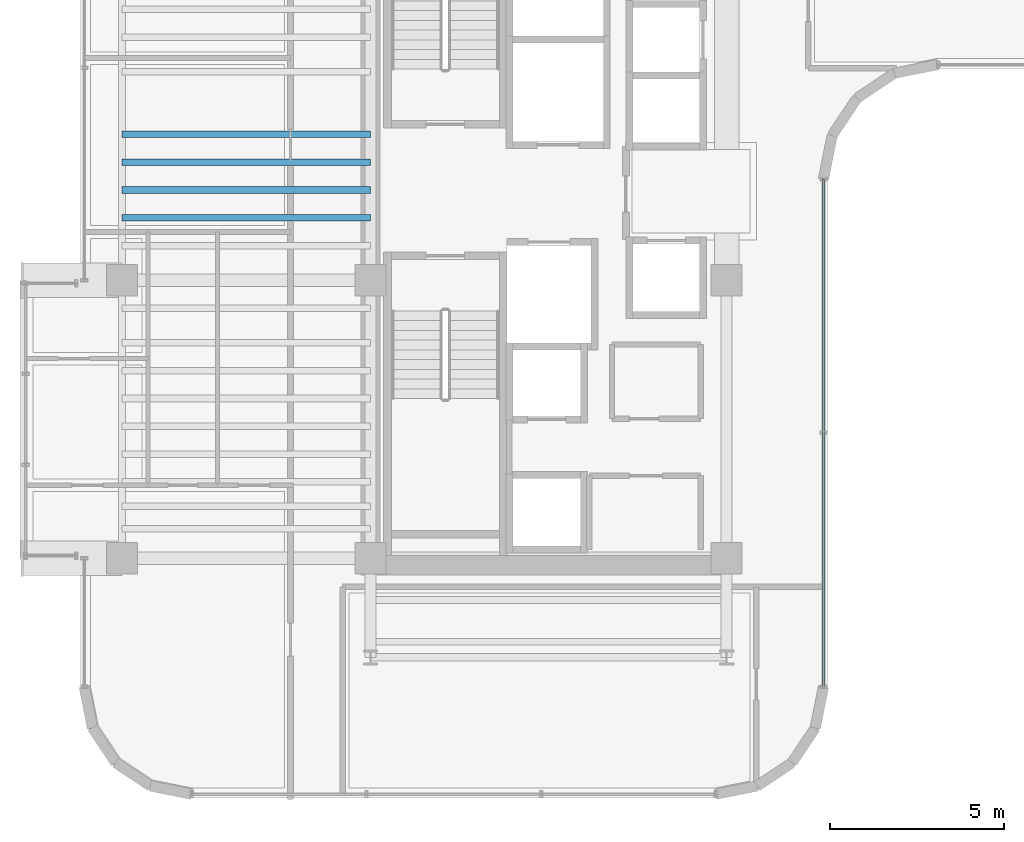
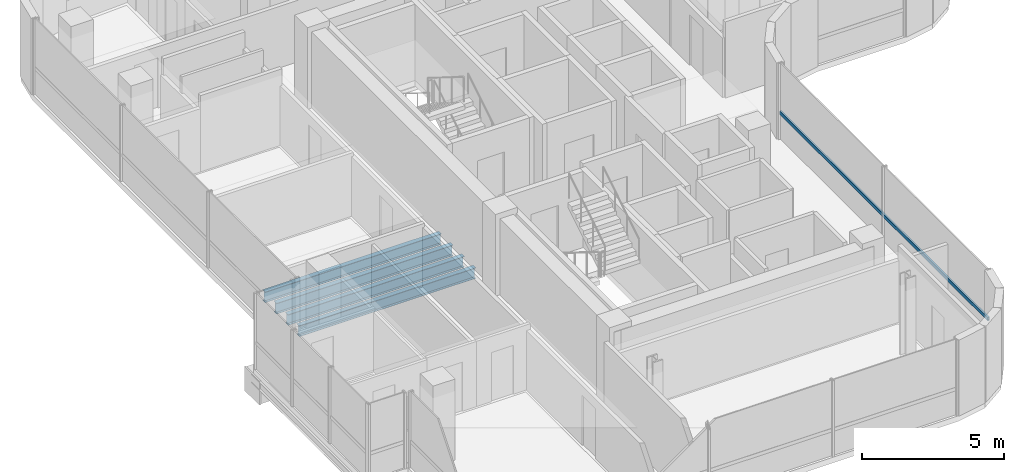
# One storey, part 6 of 24: 4 beams, 1 member, 1 element without a shape of its own.
"""IFC4 building model written with IfcOpenShell, lengths in metres."""

from ifc_helpers import new_model, si_unit, direction, frame, origin, origin_2d, place, context, subcontext, project, spatial, hollow_rectangle, i_section, extrude, source, transform, mapped, material, material_profile, profile_set, type_object, element, aggregate, save


model = new_model("IFC4")

# Units and contexts
model_context = context("Model", 3, precision=1e-05, world=origin(), true_north=direction((0.0, 1.0)))
body_context = subcontext(model_context, "Body", "Model", "MODEL_VIEW")
ifc_project = project(units=[si_unit("LENGTHUNIT", "METRE"), si_unit("AREAUNIT", "SQUARE_METRE"), si_unit("VOLUMEUNIT", "CUBIC_METRE"), si_unit("PLANEANGLEUNIT", "RADIAN"), si_unit("MASSUNIT", "GRAM", prefix="KILO")], contexts=[model_context])

# Site, building, storey
site_placement = place(None, origin())
site = spatial("IfcSite", under=ifc_project, at=site_placement, CompositionType="ELEMENT")
building_placement = place(site_placement, origin())
building = spatial("IfcBuilding", under=site, at=building_placement, Name="Valdorenza Pilgrim Sanctuary Tower", CompositionType="ELEMENT")
storey_placement = place(building_placement, frame((0.0, 0.0, 205.5)))
storey = spatial("IfcBuildingStorey", under=building, at=storey_placement, Name="L52", CompositionType="ELEMENT", Elevation=205.5)

# Beams
ifc_material_1 = material(Name="Steel ASTM A992 Grade 50", Category="steel")
ifc_material_profile_1 = material_profile(ifc_material_1, i_section(OverallWidth=0.19091796875, OverallDepth=0.45703125, WebThickness=0.009033203125, FlangeThickness=0.014404296875, at=origin_2d()), Name="W18X50")
ifc_profile_set_1 = profile_set([ifc_material_profile_1], Name="Steel ASTM A992 Grade 50")
beam_type = type_object("IfcBeamType", Name="STR-BM-JST-W18B", PredefinedType="JOIST", material=ifc_profile_set_1)
shared_shape_1 = source(origin(), body_context, "Body", "SweptSolid", [
    extrude(i_section(OverallWidth=0.19091796875, OverallDepth=0.45703125, WebThickness=0.009033203125, FlangeThickness=0.014404296875, at=origin_2d()), origin(), (0.0, 0.0, 1.0), 7.150146484375),
])
for number, where, z_axis, x_axis, name in (
    (1, (-29.800048828125, -0.800048828125, -0.468505859375), (1.0, 0.0, 0.0), (0.0, 1.0, 0.0), "L52 Composite Floor Joist JST-WA-11"),
    (2, (-29.800048828125, 0.0, -0.468505859375), (1.0, 0.0, 0.0), (0.0, 1.0, 0.0), "L52 Composite Floor Joist JST-WA-12"),
    (3, (-29.800048828125, 0.800048828125, -0.468505859375), (1.0, 0.0, 0.0), (0.0, 1.0, 0.0), "L52 Composite Floor Joist JST-WA-13"),
    (4, (-29.800048828125, 1.60009765625, -0.468505859375), (1.0, 0.0, 0.0), (0.0, 1.0, 0.0), "L52 Composite Floor Joist JST-WA-14"),
):
    element("IfcBeam", number, at=place(storey_placement, frame(where, z_axis=z_axis, x_axis=x_axis)), inside=storey, type_object=beam_type, Name=name, PredefinedType="JOIST", context=body_context, shape_type="MappedRepresentation", body=[
        mapped(shared_shape_1, transform((0.0, 0.0, 0.0), x_axis=(1.0, 0.0, 0.0), y_axis=(0.0, 1.0, 0.0), z_axis=(0.0, 0.0, 1.0), scale=1.0)),
    ])

# Curtain wall, member
ifc_material_2 = material(Name="Curtain-wall IGU glazing", Category="glass")
curtain_wall_type = type_object("IfcCurtainWallType", Name="CW-SYS-02", PredefinedType="NOTDEFINED", material=ifc_material_2)
curtain_wall_placement = place(storey_placement, origin())
curtain_wall = element("IfcCurtainWall", 5, at=curtain_wall_placement, inside=storey, type_object=curtain_wall_type, Name="L52 Curtain Wall CW-L52-1-21", PredefinedType="NOTDEFINED")
ifc_material_3 = material(Name="Anodised aluminium AW-6060", Category="aluminium")
ifc_material_profile_2 = material_profile(ifc_material_3, hollow_rectangle(XDim=0.074951171875, YDim=0.14990234375, WallThickness=0.00390625, at=origin_2d()), Name="ALU-T 150x75x4")
ifc_profile_set_2 = profile_set([ifc_material_profile_2], Name="Anodised aluminium AW-6060")
member_type = type_object("IfcMemberType", Name="CW-TRN-02", PredefinedType="USERDEFINED", material=ifc_profile_set_2)
shared_shape_2 = source(origin(), body_context, "Body", "SweptSolid", [
    extrude(hollow_rectangle(XDim=0.074951171875, YDim=0.14990234375, WallThickness=0.00390625, at=origin_2d()), origin(), (0.0, 0.0, 1.0), 14.60009765625),
])
member_placement = place(storey_placement, frame((-9.610107421875, 0.310791015625, 1.1201171875), z_axis=(0.0, -1.0, 0.0), x_axis=(1.0, 0.0, 0.0)))
member = element("IfcMember", 6, at=member_placement, type_object=member_type, Name="CW-L52-1-21 Transom 1", ObjectType="TRANSOM", PredefinedType="USERDEFINED", context=body_context, shape_type="MappedRepresentation", body=[
    mapped(shared_shape_2, transform((0.0, 0.0, 0.0), x_axis=(1.0, 0.0, 0.0), y_axis=(0.0, 1.0, 0.0), z_axis=(0.0, 0.0, 1.0), scale=1.0)),
])
aggregate(curtain_wall, [member])

save(model, "model.ifc")
